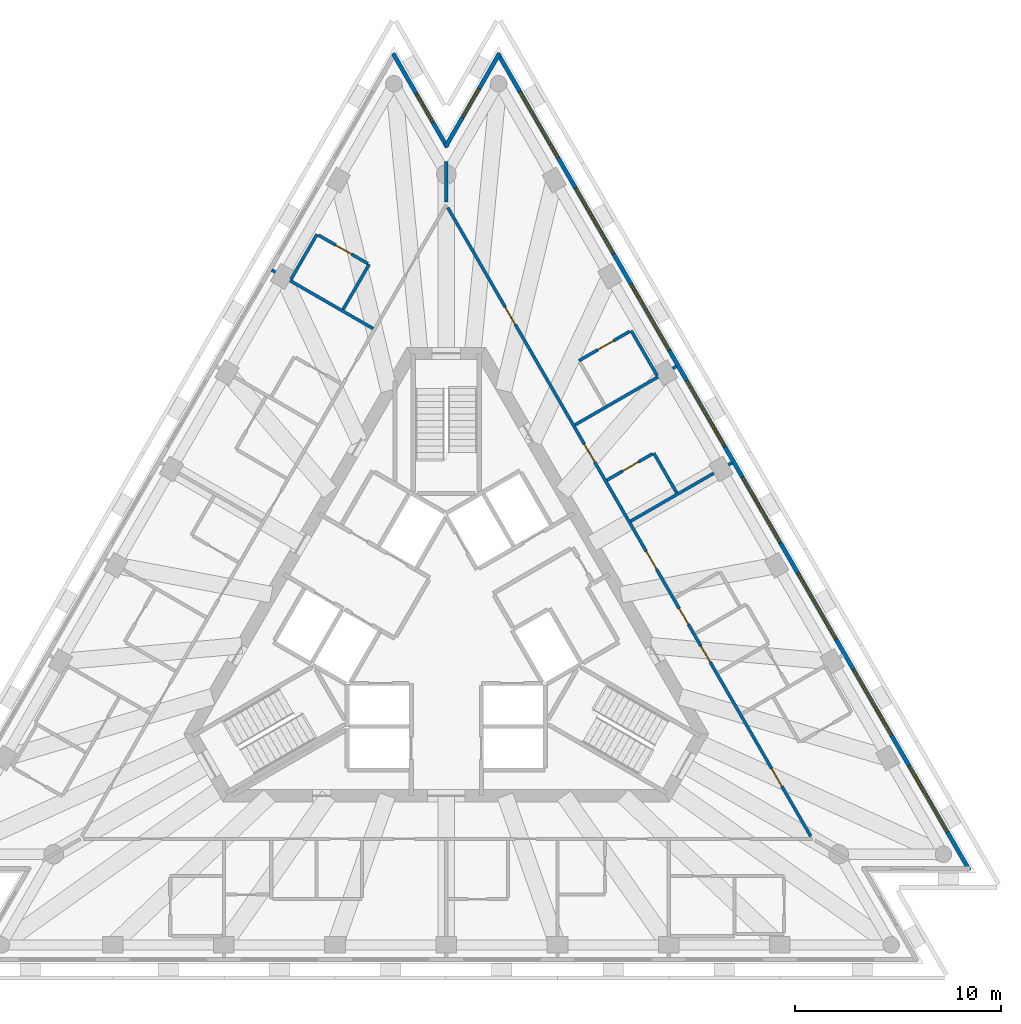
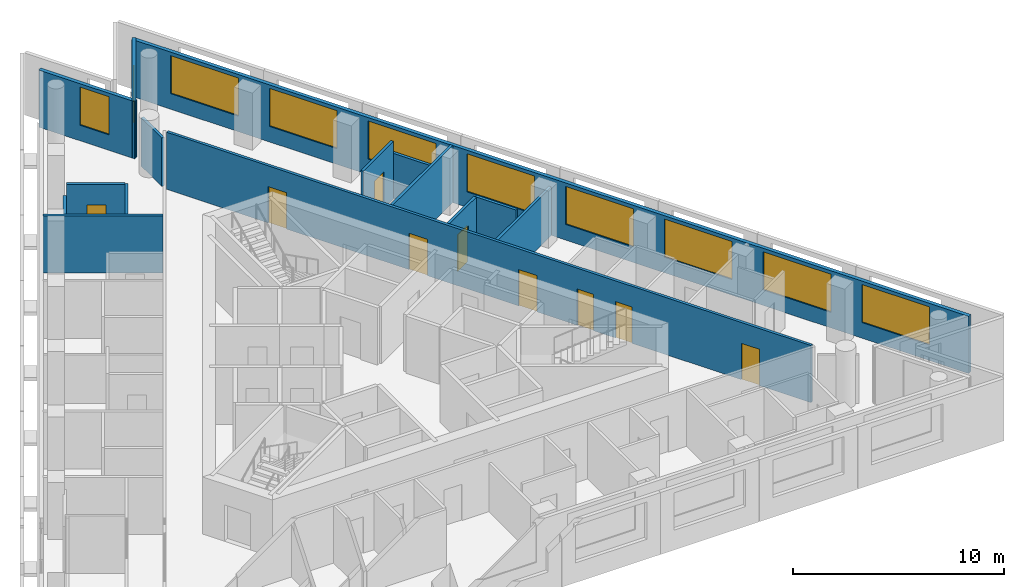
# One storey, part 7 of 10: 15 walls, 10 windows, 9 doors, 19 openings.
"""IFC4 building model written with IfcOpenShell, lengths in metres."""

from ifc_helpers import new_model, si_unit, direction, frame, frame_2d, origin, place, context, subcontext, project, spatial, rectangle, extrude, material, layer, layer_set, layer_usage, type_object, element, fill, save


model = new_model("IFC4")

# Units and contexts
model_context = context("Model", 3, precision=1e-05, world=origin(), true_north=direction((0.0, 1.0)))
body_context = subcontext(model_context, "Body", "Model", "MODEL_VIEW")
ifc_project = project(units=[si_unit("LENGTHUNIT", "METRE"), si_unit("AREAUNIT", "SQUARE_METRE"), si_unit("VOLUMEUNIT", "CUBIC_METRE"), si_unit("PLANEANGLEUNIT", "RADIAN"), si_unit("MASSUNIT", "GRAM", prefix="KILO")], contexts=[model_context])

# Site, building, storey
site_placement = place(None, origin())
site = spatial("IfcSite", under=ifc_project, at=site_placement, CompositionType="ELEMENT")
building_placement = place(site_placement, origin())
building = spatial("IfcBuilding", under=site, at=building_placement, Name="Triada Interchange Tower", CompositionType="ELEMENT")
storey_placement = place(building_placement, frame((0.0, 0.0, 293.5)))
storey = spatial("IfcBuildingStorey", under=building, at=storey_placement, Name="L69", CompositionType="ELEMENT", Elevation=293.5)

# Wall, openings, windows
ifc_material_1 = material(Name="Cement board")
ifc_layer_1 = layer(ifc_material_1, 0.02001953125, Name="Cement board cladding")
ifc_material_2 = material(Name="Sheathing board")
ifc_layer_2 = layer(ifc_material_2, 0.014892578125, Name="Sheathing board")
ifc_material_3 = material(Name="Mineral wool")
ifc_layer_3 = layer(ifc_material_3, 0.14990234375, Name="Mineral wool between steel studs")
ifc_material_4 = material(Name="Gypsum board")
ifc_layer_4 = layer(ifc_material_4, 0.014892578125, Name="Plasterboard lining")
ifc_layer_set_1 = layer_set([ifc_layer_1, ifc_layer_2, ifc_layer_3, ifc_layer_4], Name="External wall 200")
ifc_layer_usage = layer_usage(ifc_layer_set_1, "AXIS2", "POSITIVE", -0.10009765625)
wall_type_1 = type_object("IfcWallType", Name="External wall 200", PredefinedType="ELEMENTEDWALL", material=ifc_layer_set_1)
wall_1_placement = place(storey_placement, frame((25.375, -11.77001953125, 0.0), z_axis=(0.0, 0.0, 1.0), x_axis=(-0.500008134474, 0.866020707292, 0.0)))
wall_1 = element("IfcWall", 1, at=wall_1_placement, inside=storey, type_object=wall_type_1, material=ifc_layer_usage, Name="External wall L69 NE", PredefinedType="ELEMENTEDWALL", context=body_context, shape_type="SweptSolid", body=[
    extrude(rectangle(XDim=45.741455078125, YDim=0.199951171875, at=frame_2d((22.87060546875, 0.0))), origin(), (0.0, 0.0, 1.0), 3.300048828125),
])
opening_1_placement = place(wall_1_placement, frame((2.14990234375, 0.0, 0.89990234375)))
opening_1 = element("IfcOpeningElement", 2, at=opening_1_placement, cuts=wall_1, Name="Opening WD21", PredefinedType="OPENING", context=body_context, shape_type="SweptSolid", body=[
    extrude(rectangle(XDim=3.699951171875, YDim=2.199951171875, at=frame_2d((1.85009765625, 1.10009765625))), frame((0.0, 0.10986328125, 0.0), z_axis=(0.0, -1.0, 0.0), x_axis=(1.0, 0.0, 0.0)), (0.0, 0.0, 1.0), 0.219970703125),
])
opening_2_placement = place(wall_1_placement, frame((7.5439453125, 0.0, 0.89990234375)))
opening_2 = element("IfcOpeningElement", 3, at=opening_2_placement, cuts=wall_1, Name="Opening WD22", PredefinedType="OPENING", context=body_context, shape_type="SweptSolid", body=[
    extrude(rectangle(XDim=3.699951171875, YDim=2.199951171875, at=frame_2d((1.85009765625, 1.10009765625))), frame((0.0, 0.10986328125, 0.0), z_axis=(0.0, -1.0, 0.0), x_axis=(1.0, 0.0, 0.0)), (0.0, 0.0, 1.0), 0.219970703125),
])
opening_3_placement = place(wall_1_placement, frame((12.93896484375, 0.0, 0.89990234375)))
opening_3 = element("IfcOpeningElement", 4, at=opening_3_placement, cuts=wall_1, Name="Opening WD23", PredefinedType="OPENING", context=body_context, shape_type="SweptSolid", body=[
    extrude(rectangle(XDim=3.699951171875, YDim=2.199951171875, at=frame_2d((1.85009765625, 1.10009765625))), frame((0.0, 0.10986328125, 0.0), z_axis=(0.0, -1.0, 0.0), x_axis=(1.0, 0.0, 0.0)), (0.0, 0.0, 1.0), 0.219970703125),
])
opening_4_placement = place(wall_1_placement, frame((18.3330078125, 0.0, 0.89990234375)))
opening_4 = element("IfcOpeningElement", 5, at=opening_4_placement, cuts=wall_1, Name="Opening WD24", PredefinedType="OPENING", context=body_context, shape_type="SweptSolid", body=[
    extrude(rectangle(XDim=3.699951171875, YDim=2.199951171875, at=frame_2d((1.85009765625, 1.10009765625))), frame((0.0, 0.10986328125, 0.0), z_axis=(0.0, -1.0, 0.0), x_axis=(1.0, 0.0, 0.0)), (0.0, 0.0, 1.0), 0.219970703125),
])
opening_5_placement = place(wall_1_placement, frame((23.72802734375, 0.0, 0.89990234375)))
opening_5 = element("IfcOpeningElement", 6, at=opening_5_placement, cuts=wall_1, Name="Opening WD25", PredefinedType="OPENING", context=body_context, shape_type="SweptSolid", body=[
    extrude(rectangle(XDim=3.699951171875, YDim=2.199951171875, at=frame_2d((1.85009765625, 1.10009765625))), frame((0.0, 0.10986328125, 0.0), z_axis=(0.0, -1.0, 0.0), x_axis=(1.0, 0.0, 0.0)), (0.0, 0.0, 1.0), 0.219970703125),
])
opening_6_placement = place(wall_1_placement, frame((29.1220703125, 0.0, 0.89990234375)))
opening_6 = element("IfcOpeningElement", 7, at=opening_6_placement, cuts=wall_1, Name="Opening WD26", PredefinedType="OPENING", context=body_context, shape_type="SweptSolid", body=[
    extrude(rectangle(XDim=3.699951171875, YDim=2.199951171875, at=frame_2d((1.85009765625, 1.10009765625))), frame((0.0, 0.10986328125, 0.0), z_axis=(0.0, -1.0, 0.0), x_axis=(1.0, 0.0, 0.0)), (0.0, 0.0, 1.0), 0.219970703125),
])
opening_7_placement = place(wall_1_placement, frame((34.51708984375, 0.0, 0.89990234375)))
opening_7 = element("IfcOpeningElement", 8, at=opening_7_placement, cuts=wall_1, Name="Opening WD27", PredefinedType="OPENING", context=body_context, shape_type="SweptSolid", body=[
    extrude(rectangle(XDim=3.699951171875, YDim=2.199951171875, at=frame_2d((1.85009765625, 1.10009765625))), frame((0.0, 0.10986328125, 0.0), z_axis=(0.0, -1.0, 0.0), x_axis=(1.0, 0.0, 0.0)), (0.0, 0.0, 1.0), 0.219970703125),
])
opening_8_placement = place(wall_1_placement, frame((39.910888671875, 0.0, 0.89990234375)))
opening_8 = element("IfcOpeningElement", 9, at=opening_8_placement, cuts=wall_1, Name="Opening WD28", PredefinedType="OPENING", context=body_context, shape_type="SweptSolid", body=[
    extrude(rectangle(XDim=3.699951171875, YDim=2.199951171875, at=frame_2d((1.85009765625, 1.10009765625))), frame((0.0, 0.10986328125, 0.0), z_axis=(0.0, -1.0, 0.0), x_axis=(1.0, 0.0, 0.0)), (0.0, 0.0, 1.0), 0.219970703125),
])
ifc_material_5 = material(Name="Double glazed aluminium window", Category="aluminium")
window_type_1 = type_object("IfcWindowType", Name="Ribbon window D face", PartitioningType="SINGLE_PANEL", PredefinedType="WINDOW", material=ifc_material_5)
window_1_placement = place(opening_1_placement, origin())
window_1 = element("IfcWindow", 10, at=window_1_placement, inside=storey, type_object=window_type_1, Name="Window L69 NE 1", OverallHeight=2.199951171875, OverallWidth=3.699951171875, PartitioningType="SINGLE_PANEL", PredefinedType="WINDOW", context=body_context, shape_type="SweptSolid", body=[
    extrude(rectangle(XDim=3.699951171875, YDim=2.199951171875, at=frame_2d((1.85009765625, 1.10009765625))), frame((0.0, 0.030029296875, 0.0), z_axis=(0.0, -1.0, 0.0), x_axis=(1.0, 0.0, 0.0)), (0.0, 0.0, 1.0), 0.06005859375),
])
fill(opening_1, window_1)
window_2_placement = place(opening_2_placement, origin())
window_2 = element("IfcWindow", 11, at=window_2_placement, inside=storey, type_object=window_type_1, Name="Window L69 NE 2", OverallHeight=2.199951171875, OverallWidth=3.699951171875, PartitioningType="SINGLE_PANEL", PredefinedType="WINDOW", context=body_context, shape_type="SweptSolid", body=[
    extrude(rectangle(XDim=3.699951171875, YDim=2.199951171875, at=frame_2d((1.85009765625, 1.10009765625))), frame((0.0, 0.030029296875, 0.0), z_axis=(0.0, -1.0, 0.0), x_axis=(1.0, 0.0, 0.0)), (0.0, 0.0, 1.0), 0.06005859375),
])
fill(opening_2, window_2)
window_3_placement = place(opening_3_placement, origin())
window_3 = element("IfcWindow", 12, at=window_3_placement, inside=storey, type_object=window_type_1, Name="Window L69 NE 3", OverallHeight=2.199951171875, OverallWidth=3.699951171875, PartitioningType="SINGLE_PANEL", PredefinedType="WINDOW", context=body_context, shape_type="SweptSolid", body=[
    extrude(rectangle(XDim=3.699951171875, YDim=2.199951171875, at=frame_2d((1.85009765625, 1.10009765625))), frame((0.0, 0.030029296875, 0.0), z_axis=(0.0, -1.0, 0.0), x_axis=(1.0, 0.0, 0.0)), (0.0, 0.0, 1.0), 0.06005859375),
])
fill(opening_3, window_3)
window_4_placement = place(opening_4_placement, origin())
window_4 = element("IfcWindow", 13, at=window_4_placement, inside=storey, type_object=window_type_1, Name="Window L69 NE 4", OverallHeight=2.199951171875, OverallWidth=3.699951171875, PartitioningType="SINGLE_PANEL", PredefinedType="WINDOW", context=body_context, shape_type="SweptSolid", body=[
    extrude(rectangle(XDim=3.699951171875, YDim=2.199951171875, at=frame_2d((1.85009765625, 1.10009765625))), frame((0.0, 0.030029296875, 0.0), z_axis=(0.0, -1.0, 0.0), x_axis=(1.0, 0.0, 0.0)), (0.0, 0.0, 1.0), 0.06005859375),
])
fill(opening_4, window_4)
window_5_placement = place(opening_5_placement, origin())
window_5 = element("IfcWindow", 14, at=window_5_placement, inside=storey, type_object=window_type_1, Name="Window L69 NE 5", OverallHeight=2.199951171875, OverallWidth=3.699951171875, PartitioningType="SINGLE_PANEL", PredefinedType="WINDOW", context=body_context, shape_type="SweptSolid", body=[
    extrude(rectangle(XDim=3.699951171875, YDim=2.199951171875, at=frame_2d((1.85009765625, 1.10009765625))), frame((0.0, 0.030029296875, 0.0), z_axis=(0.0, -1.0, 0.0), x_axis=(1.0, 0.0, 0.0)), (0.0, 0.0, 1.0), 0.06005859375),
])
fill(opening_5, window_5)
window_6_placement = place(opening_6_placement, origin())
window_6 = element("IfcWindow", 15, at=window_6_placement, inside=storey, type_object=window_type_1, Name="Window L69 NE 6", OverallHeight=2.199951171875, OverallWidth=3.699951171875, PartitioningType="SINGLE_PANEL", PredefinedType="WINDOW", context=body_context, shape_type="SweptSolid", body=[
    extrude(rectangle(XDim=3.699951171875, YDim=2.199951171875, at=frame_2d((1.85009765625, 1.10009765625))), frame((0.0, 0.030029296875, 0.0), z_axis=(0.0, -1.0, 0.0), x_axis=(1.0, 0.0, 0.0)), (0.0, 0.0, 1.0), 0.06005859375),
])
fill(opening_6, window_6)
window_7_placement = place(opening_7_placement, origin())
window_7 = element("IfcWindow", 16, at=window_7_placement, inside=storey, type_object=window_type_1, Name="Window L69 NE 7", OverallHeight=2.199951171875, OverallWidth=3.699951171875, PartitioningType="SINGLE_PANEL", PredefinedType="WINDOW", context=body_context, shape_type="SweptSolid", body=[
    extrude(rectangle(XDim=3.699951171875, YDim=2.199951171875, at=frame_2d((1.85009765625, 1.10009765625))), frame((0.0, 0.030029296875, 0.0), z_axis=(0.0, -1.0, 0.0), x_axis=(1.0, 0.0, 0.0)), (0.0, 0.0, 1.0), 0.06005859375),
])
fill(opening_7, window_7)
window_8_placement = place(opening_8_placement, origin())
window_8 = element("IfcWindow", 17, at=window_8_placement, inside=storey, type_object=window_type_1, Name="Window L69 NE 8", OverallHeight=2.199951171875, OverallWidth=3.699951171875, PartitioningType="SINGLE_PANEL", PredefinedType="WINDOW", context=body_context, shape_type="SweptSolid", body=[
    extrude(rectangle(XDim=3.699951171875, YDim=2.199951171875, at=frame_2d((1.85009765625, 1.10009765625))), frame((0.0, 0.030029296875, 0.0), z_axis=(0.0, -1.0, 0.0), x_axis=(1.0, 0.0, 0.0)), (0.0, 0.0, 1.0), 0.06005859375),
])
fill(opening_8, window_8)

# Wall, opening, window
wall_2_placement = place(storey_placement, frame((2.583984375, 27.860107421875, 0.0), z_axis=(0.0, 0.0, 1.0), x_axis=(-0.499832707108, -0.866121968839, 0.0)))
wall_2 = element("IfcWall", 18, at=wall_2_placement, inside=storey, type_object=wall_type_1, material=ifc_layer_usage, Name="External wall L69 N-1", PredefinedType="ELEMENTEDWALL", context=body_context, shape_type="SweptSolid", body=[
    extrude(rectangle(XDim=5.239501953125, YDim=0.199951171875, at=frame_2d((2.61962890625, 0.0))), origin(), (0.0, 0.0, 1.0), 3.300048828125),
])
opening_9_placement = place(wall_2_placement, frame((1.989990234375, 0.0, 0.89990234375)))
opening_9 = element("IfcOpeningElement", 19, at=opening_9_placement, cuts=wall_2, Name="Opening WD29", PredefinedType="OPENING", context=body_context, shape_type="SweptSolid", body=[
    extrude(rectangle(XDim=1.60009765625, YDim=2.199951171875, at=frame_2d((0.800048828125, 1.10009765625))), frame((0.0, 0.10986328125, 0.0), z_axis=(0.0, -1.0, 0.0), x_axis=(1.0, 0.0, 0.0)), (0.0, 0.0, 1.0), 0.219970703125),
])
window_type_2 = type_object("IfcWindowType", Name="Ribbon window D pocket", PartitioningType="SINGLE_PANEL", PredefinedType="WINDOW", material=ifc_material_5)
window_9_placement = place(opening_9_placement, origin())
window_9 = element("IfcWindow", 20, at=window_9_placement, inside=storey, type_object=window_type_2, Name="Window L69 N-1 1", OverallHeight=2.199951171875, OverallWidth=1.60009765625, PartitioningType="SINGLE_PANEL", PredefinedType="WINDOW", context=body_context, shape_type="SweptSolid", body=[
    extrude(rectangle(XDim=1.60009765625, YDim=2.199951171875, at=frame_2d((0.800048828125, 1.10009765625))), frame((0.0, 0.030029296875, 0.0), z_axis=(0.0, -1.0, 0.0), x_axis=(1.0, 0.0, 0.0)), (0.0, 0.0, 1.0), 0.06005859375),
])
fill(opening_9, window_9)

wall_3_placement = place(storey_placement, frame((0.044921875, 23.304931640625, 0.0), z_axis=(0.0, 0.0, 1.0), x_axis=(-0.499832707108, 0.866121968839, 0.0)))
wall_3 = element("IfcWall", 21, at=wall_3_placement, inside=storey, type_object=wall_type_1, material=ifc_layer_usage, Name="External wall L69 N-2", PredefinedType="ELEMENTEDWALL", context=body_context, shape_type="SweptSolid", body=[
    extrude(rectangle(XDim=5.239501953125, YDim=0.199951171875, at=frame_2d((2.61962890625, 0.0))), origin(), (0.0, 0.0, 1.0), 3.300048828125),
])
opening_10_placement = place(wall_3_placement, frame((1.389892578125, 0.0, 0.89990234375)))
opening_10 = element("IfcOpeningElement", 22, at=opening_10_placement, cuts=wall_3, Name="Opening WD30", PredefinedType="OPENING", context=body_context, shape_type="SweptSolid", body=[
    extrude(rectangle(XDim=1.60009765625, YDim=2.199951171875, at=frame_2d((0.800048828125, 1.10009765625))), frame((0.0, 0.10986328125, 0.0), z_axis=(0.0, -1.0, 0.0), x_axis=(1.0, 0.0, 0.0)), (0.0, 0.0, 1.0), 0.219970703125),
])
window_10_placement = place(opening_10_placement, origin())
window_10 = element("IfcWindow", 23, at=window_10_placement, inside=storey, type_object=window_type_2, Name="Window L69 N-2 1", OverallHeight=2.199951171875, OverallWidth=1.60009765625, PartitioningType="SINGLE_PANEL", PredefinedType="WINDOW", context=body_context, shape_type="SweptSolid", body=[
    extrude(rectangle(XDim=1.60009765625, YDim=2.199951171875, at=frame_2d((0.800048828125, 1.10009765625))), frame((0.0, 0.030029296875, 0.0), z_axis=(0.0, -1.0, 0.0), x_axis=(1.0, 0.0, 0.0)), (0.0, 0.0, 1.0), 0.06005859375),
])
fill(opening_10, window_10)

# Walls
ifc_material_6 = material(Name="Gypsum board partition")
ifc_layer_5 = layer(ifc_material_6, 0.14990234375)
ifc_layer_set_2 = layer_set([ifc_layer_5], Name="PARTITION 150 EI 180")
wall_type_2 = type_object("IfcWallType", Name="PARTITION 150 EI 180", PredefinedType="PARTITIONING", material=ifc_layer_set_2)
wall_4_placement = place(storey_placement, frame((8.94189453125, 5.1630859375, 0.0), z_axis=(0.0, 0.0, 1.0), x_axis=(0.86606758311, 0.499926936147, 0.0)))
element("IfcWall", 24, at=wall_4_placement, inside=storey, type_object=wall_type_2, Name="Wall L68 2", PredefinedType="PARTITIONING", context=body_context, shape_type="SweptSolid", body=[
    extrude(rectangle(XDim=5.684326171875, YDim=0.14990234375, at=frame_2d((2.84228515625, 0.0))), origin(), (0.0, 0.0, 1.0), 2.800048828125),
])
wall_5_placement = place(storey_placement, frame((-8.470947265625, 17.347900390625, 0.0), z_axis=(0.0, 0.0, 1.0), x_axis=(0.86596385927, -0.500106583079, 0.0)))
element("IfcWall", 25, at=wall_5_placement, inside=storey, type_object=wall_type_2, Name="Wall L68 11", PredefinedType="PARTITIONING", context=body_context, shape_type="SweptSolid", body=[
    extrude(rectangle(XDim=5.684814453125, YDim=0.14990234375, at=frame_2d((2.84228515625, 0.0))), origin(), (0.0, 0.0, 1.0), 3.300048828125),
])
wall_6_placement = place(storey_placement, frame((0.0, 20.64990234375, 0.0), z_axis=(0.0, 0.0, 1.0), x_axis=(0.0, 1.0, 0.0)))
element("IfcWall", 26, at=wall_6_placement, inside=storey, type_object=wall_type_2, Name="Wall L68 17", PredefinedType="PARTITIONING", context=body_context, shape_type="SweptSolid", body=[
    extrude(rectangle(XDim=1.953125, YDim=0.14990234375, at=frame_2d((0.9765625, 0.0))), origin(), (0.0, 0.0, 1.0), 2.800048828125),
])

# Wall, openings, doors
wall_7_placement = place(storey_placement, frame((0.074951171875, 20.3701171875, 0.0), z_axis=(0.0, 0.0, 1.0), x_axis=(0.500009775255, -0.866019759965, 0.0)))
wall_7 = element("IfcWall", 27, at=wall_7_placement, inside=storey, type_object=wall_type_2, Name="Wall L68 18", PredefinedType="PARTITIONING", context=body_context, shape_type="SweptSolid", body=[
    extrude(rectangle(XDim=35.207275390625, YDim=0.14990234375, at=frame_2d((17.603515625, 0.0))), origin(), (0.0, 0.0, 1.0), 3.300048828125),
])
opening_11_placement = place(wall_7_placement, frame((31.406982421875, 0.0, 0.0)))
opening_11 = element("IfcOpeningElement", 28, at=opening_11_placement, cuts=wall_7, Name="Opening D68-24", PredefinedType="OPENING", context=body_context, shape_type="SweptSolid", body=[
    extrude(rectangle(XDim=1.0, YDim=2.10009765625, at=frame_2d((0.5, 1.050048828125))), frame((0.0, 0.0849609375, 0.0), z_axis=(0.0, -1.0, 0.0), x_axis=(1.0, 0.0, 0.0)), (0.0, 0.0, 1.0), 0.169921875),
])
opening_12_placement = place(wall_7_placement, frame((19.242919921875, 0.0, 0.0)))
opening_12 = element("IfcOpeningElement", 29, at=opening_12_placement, cuts=wall_7, Name="Opening D68-26", PredefinedType="OPENING", context=body_context, shape_type="SweptSolid", body=[
    extrude(rectangle(XDim=1.0, YDim=2.10009765625, at=frame_2d((0.5, 1.050048828125))), frame((0.0, 0.0849609375, 0.0), z_axis=(0.0, -1.0, 0.0), x_axis=(1.0, 0.0, 0.0)), (0.0, 0.0, 1.0), 0.169921875),
])
opening_13_placement = place(wall_7_placement, frame((24.54296875, 0.0, 0.0)))
opening_13 = element("IfcOpeningElement", 30, at=opening_13_placement, cuts=wall_7, Name="Opening D68-28", PredefinedType="OPENING", context=body_context, shape_type="SweptSolid", body=[
    extrude(rectangle(XDim=0.89990234375, YDim=2.10009765625, at=frame_2d((0.449951171875, 1.050048828125))), frame((0.0, 0.0849609375, 0.0), z_axis=(0.0, -1.0, 0.0), x_axis=(1.0, 0.0, 0.0)), (0.0, 0.0, 1.0), 0.169921875),
])
opening_14_placement = place(wall_7_placement, frame((22.443115234375, 0.0, 0.0)))
opening_14 = element("IfcOpeningElement", 31, at=opening_14_placement, cuts=wall_7, Name="Opening D68-29", PredefinedType="OPENING", context=body_context, shape_type="SweptSolid", body=[
    extrude(rectangle(XDim=0.89990234375, YDim=2.10009765625, at=frame_2d((0.449951171875, 1.050048828125))), frame((0.0, 0.0849609375, 0.0), z_axis=(0.0, -1.0, 0.0), x_axis=(1.0, 0.0, 0.0)), (0.0, 0.0, 1.0), 0.169921875),
])
opening_15_placement = place(wall_7_placement, frame((13.2529296875, 0.0, 0.0)))
opening_15 = element("IfcOpeningElement", 32, at=opening_15_placement, cuts=wall_7, Name="Opening D68-30", PredefinedType="OPENING", context=body_context, shape_type="SweptSolid", body=[
    extrude(rectangle(XDim=1.0, YDim=2.10009765625, at=frame_2d((0.5, 1.050048828125))), frame((0.0, 0.0849609375, 0.0), z_axis=(0.0, -1.0, 0.0), x_axis=(1.0, 0.0, 0.0)), (0.0, 0.0, 1.0), 0.169921875),
])
opening_16_placement = place(wall_7_placement, frame((5.55908203125, 0.0, 0.0)))
opening_16 = element("IfcOpeningElement", 33, at=opening_16_placement, cuts=wall_7, Name="Opening D68-32", PredefinedType="OPENING", context=body_context, shape_type="SweptSolid", body=[
    extrude(rectangle(XDim=1.0, YDim=2.10009765625, at=frame_2d((0.5, 1.050048828125))), frame((0.0, 0.0849609375, 0.0), z_axis=(0.0, -1.0, 0.0), x_axis=(1.0, 0.0, 0.0)), (0.0, 0.0, 1.0), 0.169921875),
])
ifc_material_7 = material(Name="Steel S235 door leaf", Category="steel")
door_type_1 = type_object("IfcDoorType", Name="GUEST ROOM DOOR 1000 EI2 90-C5S200", OperationType="NOTDEFINED", PredefinedType="DOOR", material=ifc_material_7)
door_1_placement = place(opening_11_placement, origin())
door_1 = element("IfcDoor", 34, at=door_1_placement, inside=storey, type_object=door_type_1, Name="Door D68-24 L69", OperationType="SINGLE_SWING_RIGHT", OverallHeight=2.10009765625, OverallWidth=1.0, PredefinedType="DOOR", context=body_context, shape_type="SweptSolid", body=[
    extrude(rectangle(XDim=1.0, YDim=2.10009765625, at=frame_2d((0.5, 1.050048828125))), frame((0.0, 0.02490234375, 0.0), z_axis=(0.0, -1.0, 0.0), x_axis=(1.0, 0.0, 0.0)), (0.0, 0.0, 1.0), 0.050048828125),
])
fill(opening_11, door_1)
door_2_placement = place(opening_12_placement, origin())
door_2 = element("IfcDoor", 35, at=door_2_placement, inside=storey, type_object=door_type_1, Name="Door D68-26 L69", OperationType="SINGLE_SWING_RIGHT", OverallHeight=2.10009765625, OverallWidth=1.0, PredefinedType="DOOR", context=body_context, shape_type="SweptSolid", body=[
    extrude(rectangle(XDim=1.0, YDim=2.10009765625, at=frame_2d((0.5, 1.050048828125))), frame((0.0, 0.02490234375, 0.0), z_axis=(0.0, -1.0, 0.0), x_axis=(1.0, 0.0, 0.0)), (0.0, 0.0, 1.0), 0.050048828125),
])
fill(opening_12, door_2)
door_3_placement = place(opening_15_placement, origin())
door_3 = element("IfcDoor", 36, at=door_3_placement, inside=storey, type_object=door_type_1, Name="Door D68-30 L69", OperationType="SINGLE_SWING_RIGHT", OverallHeight=2.10009765625, OverallWidth=1.0, PredefinedType="DOOR", context=body_context, shape_type="SweptSolid", body=[
    extrude(rectangle(XDim=1.0, YDim=2.10009765625, at=frame_2d((0.5, 1.050048828125))), frame((0.0, 0.02490234375, 0.0), z_axis=(0.0, -1.0, 0.0), x_axis=(1.0, 0.0, 0.0)), (0.0, 0.0, 1.0), 0.050048828125),
])
fill(opening_15, door_3)
door_4_placement = place(opening_16_placement, origin())
door_4 = element("IfcDoor", 37, at=door_4_placement, inside=storey, type_object=door_type_1, Name="Door D68-32 L69", OperationType="SINGLE_SWING_LEFT", OverallHeight=2.10009765625, OverallWidth=1.0, PredefinedType="DOOR", context=body_context, shape_type="SweptSolid", body=[
    extrude(rectangle(XDim=1.0, YDim=2.10009765625, at=frame_2d((0.5, 1.050048828125))), frame((0.0, 0.02490234375, 0.0), z_axis=(0.0, -1.0, 0.0), x_axis=(1.0, 0.0, 0.0)), (0.0, 0.0, 1.0), 0.050048828125),
])
fill(opening_16, door_4)
door_type_2 = type_object("IfcDoorType", Name="ROOM DOOR 900 EI2 90-C5S200", OperationType="NOTDEFINED", PredefinedType="DOOR", material=ifc_material_7)
door_5_placement = place(opening_14_placement, origin())
door_5 = element("IfcDoor", 38, at=door_5_placement, inside=storey, type_object=door_type_2, Name="Door D68-29 L69", OperationType="SINGLE_SWING_RIGHT", OverallHeight=2.10009765625, OverallWidth=0.89990234375, PredefinedType="DOOR", context=body_context, shape_type="SweptSolid", body=[
    extrude(rectangle(XDim=0.89990234375, YDim=2.10009765625, at=frame_2d((0.449951171875, 1.050048828125))), frame((0.0, 0.02490234375, 0.0), z_axis=(0.0, -1.0, 0.0), x_axis=(1.0, 0.0, 0.0)), (0.0, 0.0, 1.0), 0.050048828125),
])
fill(opening_14, door_5)
door_type_3 = type_object("IfcDoorType", Name="SERVICE DOOR 900 EI2 90-C5S200", OperationType="NOTDEFINED", PredefinedType="DOOR", material=ifc_material_7)
door_6_placement = place(opening_13_placement, origin())
door_6 = element("IfcDoor", 39, at=door_6_placement, inside=storey, type_object=door_type_3, Name="Door D68-28 L69", OperationType="SINGLE_SWING_LEFT", OverallHeight=2.10009765625, OverallWidth=0.89990234375, PredefinedType="DOOR", context=body_context, shape_type="SweptSolid", body=[
    extrude(rectangle(XDim=0.89990234375, YDim=2.10009765625, at=frame_2d((0.449951171875, 1.050048828125))), frame((0.0, 0.02490234375, 0.0), z_axis=(0.0, -1.0, 0.0), x_axis=(1.0, 0.0, 0.0)), (0.0, 0.0, 1.0), 0.050048828125),
])
fill(opening_13, door_6)

# Walls
wall_8_placement = place(storey_placement, frame((6.243896484375, 9.833984375, 0.0), z_axis=(0.0, 0.0, 1.0), x_axis=(0.866017549727, 0.50001360338, 0.0)))
element("IfcWall", 40, at=wall_8_placement, inside=storey, type_object=wall_type_2, Name="Wall L68 20", PredefinedType="PARTITIONING", context=body_context, shape_type="SweptSolid", body=[
    extrude(rectangle(XDim=5.685791015625, YDim=0.14990234375, at=frame_2d((2.8427734375, 0.0))), origin(), (0.0, 0.0, 1.0), 3.300048828125),
])
ifc_layer_6 = layer(ifc_material_6, 0.14990234375)
ifc_layer_set_3 = layer_set([ifc_layer_6], Name="PARTITION 150 EI 90")
wall_type_3 = type_object("IfcWallType", Name="PARTITION 150 EI 90", PredefinedType="PARTITIONING", material=ifc_layer_set_3)
wall_9_placement = place(storey_placement, frame((-5.00390625, 15.43310546875, 0.0), z_axis=(0.0, 0.0, 1.0), x_axis=(0.500079482444, 0.865979509711, 0.0)))
element("IfcWall", 41, at=wall_9_placement, inside=storey, type_object=wall_type_3, Name="Wall L68 32", PredefinedType="PARTITIONING", context=body_context, shape_type="SweptSolid", body=[
    extrude(rectangle(XDim=2.525390625, YDim=0.14990234375, at=frame_2d((1.2626953125, 0.0))), origin(), (0.0, 0.0, 1.0), 3.300048828125),
])
wall_10_placement = place(storey_placement, frame((-7.532958984375, 16.89306640625, 0.0), z_axis=(0.0, 0.0, 1.0), x_axis=(0.500079482444, 0.865979509711, 0.0)))
element("IfcWall", 42, at=wall_10_placement, inside=storey, type_object=wall_type_3, Name="Wall L68 34", PredefinedType="PARTITIONING", context=body_context, shape_type="SweptSolid", body=[
    extrude(rectangle(XDim=2.525390625, YDim=0.14990234375, at=frame_2d((1.2626953125, 0.0))), origin(), (0.0, 0.0, 1.0), 2.60009765625),
])

# Wall, opening, door
wall_11_placement = place(storey_placement, frame((-6.205078125, 19.0419921875, 0.0), z_axis=(0.0, 0.0, 1.0), x_axis=(0.866049104564, -0.499958946799, 0.0)))
wall_11 = element("IfcWall", 43, at=wall_11_placement, inside=storey, type_object=wall_type_3, Name="Wall L68 49", PredefinedType="PARTITIONING", context=body_context, shape_type="SweptSolid", body=[
    extrude(rectangle(XDim=2.770263671875, YDim=0.14990234375, at=frame_2d((1.38525390625, 0.0))), origin(), (0.0, 0.0, 1.0), 3.300048828125),
])
opening_17_placement = place(wall_11_placement, frame((0.97509765625, 0.0, 0.0)))
opening_17 = element("IfcOpeningElement", 44, at=opening_17_placement, cuts=wall_11, Name="Opening D68-35", PredefinedType="OPENING", context=body_context, shape_type="SweptSolid", body=[
    extrude(rectangle(XDim=0.89990234375, YDim=2.10009765625, at=frame_2d((0.449951171875, 1.050048828125))), frame((0.0, 0.0849609375, 0.0), z_axis=(0.0, -1.0, 0.0), x_axis=(1.0, 0.0, 0.0)), (0.0, 0.0, 1.0), 0.169921875),
])
door_type_4 = type_object("IfcDoorType", Name="ROOM DOOR 900 EI2 45-C5S200", OperationType="NOTDEFINED", PredefinedType="DOOR", material=ifc_material_7)
door_7_placement = place(opening_17_placement, origin())
door_7 = element("IfcDoor", 45, at=door_7_placement, inside=storey, type_object=door_type_4, Name="Door D68-35 L69", OperationType="SINGLE_SWING_RIGHT", OverallHeight=2.10009765625, OverallWidth=0.89990234375, PredefinedType="DOOR", context=body_context, shape_type="SweptSolid", body=[
    extrude(rectangle(XDim=0.89990234375, YDim=2.10009765625, at=frame_2d((0.449951171875, 1.050048828125))), frame((0.0, 0.02490234375, 0.0), z_axis=(0.0, -1.0, 0.0), x_axis=(1.0, 0.0, 0.0)), (0.0, 0.0, 1.0), 0.050048828125),
])
fill(opening_17, door_7)

# Wall
wall_12_placement = place(storey_placement, frame((10.06494140625, 8.467041015625, 0.0), z_axis=(0.0, 0.0, 1.0), x_axis=(0.499833278392, -0.866121639155, 0.0)))
element("IfcWall", 46, at=wall_12_placement, inside=storey, type_object=wall_type_3, Name="Wall L68 53", PredefinedType="PARTITIONING", context=body_context, shape_type="SweptSolid", body=[
    extrude(rectangle(XDim=2.224853515625, YDim=0.14990234375, at=frame_2d((1.1123046875, 0.0))), origin(), (0.0, 0.0, 1.0), 3.300048828125),
])

# Wall, opening, door
wall_13_placement = place(storey_placement, frame((7.7919921875, 7.154052734375, 0.0), z_axis=(0.0, 0.0, 1.0), x_axis=(0.866006986733, 0.500031897912, 0.0)))
wall_13 = element("IfcWall", 47, at=wall_13_placement, inside=storey, type_object=wall_type_3, Name="Wall L68 55", PredefinedType="PARTITIONING", context=body_context, shape_type="SweptSolid", body=[
    extrude(rectangle(XDim=2.549560546875, YDim=0.14990234375, at=frame_2d((1.27490234375, 0.0))), origin(), (0.0, 0.0, 1.0), 3.300048828125),
])
opening_18_placement = place(wall_13_placement, frame((0.875, 0.0, 0.0)))
opening_18 = element("IfcOpeningElement", 48, at=opening_18_placement, cuts=wall_13, Name="Opening D68-31", PredefinedType="OPENING", context=body_context, shape_type="SweptSolid", body=[
    extrude(rectangle(XDim=0.89990234375, YDim=2.10009765625, at=frame_2d((0.449951171875, 1.050048828125))), frame((0.0, 0.0849609375, 0.0), z_axis=(0.0, -1.0, 0.0), x_axis=(1.0, 0.0, 0.0)), (0.0, 0.0, 1.0), 0.169921875),
])
door_8_placement = place(opening_18_placement, origin())
door_8 = element("IfcDoor", 49, at=door_8_placement, inside=storey, type_object=door_type_4, Name="Door D68-31 L69", OperationType="SINGLE_SWING_RIGHT", OverallHeight=2.10009765625, OverallWidth=0.89990234375, PredefinedType="DOOR", context=body_context, shape_type="SweptSolid", body=[
    extrude(rectangle(XDim=0.89990234375, YDim=2.10009765625, at=frame_2d((0.449951171875, 1.050048828125))), frame((0.0, 0.02490234375, 0.0), z_axis=(0.0, -1.0, 0.0), x_axis=(1.0, 0.0, 0.0)), (0.0, 0.0, 1.0), 0.050048828125),
])
fill(opening_18, door_8)

# Wall
wall_14_placement = place(storey_placement, frame((8.967041015625, 14.408935546875, 0.0), z_axis=(0.0, 0.0, 1.0), x_axis=(0.500079482444, -0.865979509711, 0.0)))
element("IfcWall", 50, at=wall_14_placement, inside=storey, type_object=wall_type_3, Name="Wall L68 56", PredefinedType="PARTITIONING", context=body_context, shape_type="SweptSolid", body=[
    extrude(rectangle(XDim=2.525390625, YDim=0.14990234375, at=frame_2d((1.2626953125, 0.0))), origin(), (0.0, 0.0, 1.0), 2.60009765625),
])

# Wall, opening, door
wall_15_placement = place(storey_placement, frame((6.43798828125, 12.948974609375, 0.0), z_axis=(0.0, 0.0, 1.0), x_axis=(0.866107001057, 0.499858642738, 0.0)))
wall_15 = element("IfcWall", 51, at=wall_15_placement, inside=storey, type_object=wall_type_3, Name="Wall L68 58", PredefinedType="PARTITIONING", context=body_context, shape_type="SweptSolid", body=[
    extrude(rectangle(XDim=2.844970703125, YDim=0.14990234375, at=frame_2d((1.42236328125, 0.0))), origin(), (0.0, 0.0, 1.0), 3.300048828125),
])
opening_19_placement = place(wall_15_placement, frame((1.050048828125, 0.0, 0.0)))
opening_19 = element("IfcOpeningElement", 52, at=opening_19_placement, cuts=wall_15, Name="Opening D68-33", PredefinedType="OPENING", context=body_context, shape_type="SweptSolid", body=[
    extrude(rectangle(XDim=0.89990234375, YDim=2.10009765625, at=frame_2d((0.449951171875, 1.050048828125))), frame((0.0, 0.0849609375, 0.0), z_axis=(0.0, -1.0, 0.0), x_axis=(1.0, 0.0, 0.0)), (0.0, 0.0, 1.0), 0.169921875),
])
door_9_placement = place(opening_19_placement, origin())
door_9 = element("IfcDoor", 53, at=door_9_placement, inside=storey, type_object=door_type_4, Name="Door D68-33 L69", OperationType="SINGLE_SWING_LEFT", OverallHeight=2.10009765625, OverallWidth=0.89990234375, PredefinedType="DOOR", context=body_context, shape_type="SweptSolid", body=[
    extrude(rectangle(XDim=0.89990234375, YDim=2.10009765625, at=frame_2d((0.449951171875, 1.050048828125))), frame((0.0, 0.02490234375, 0.0), z_axis=(0.0, -1.0, 0.0), x_axis=(1.0, 0.0, 0.0)), (0.0, 0.0, 1.0), 0.050048828125),
])
fill(opening_19, door_9)

save(model, "model.ifc")
